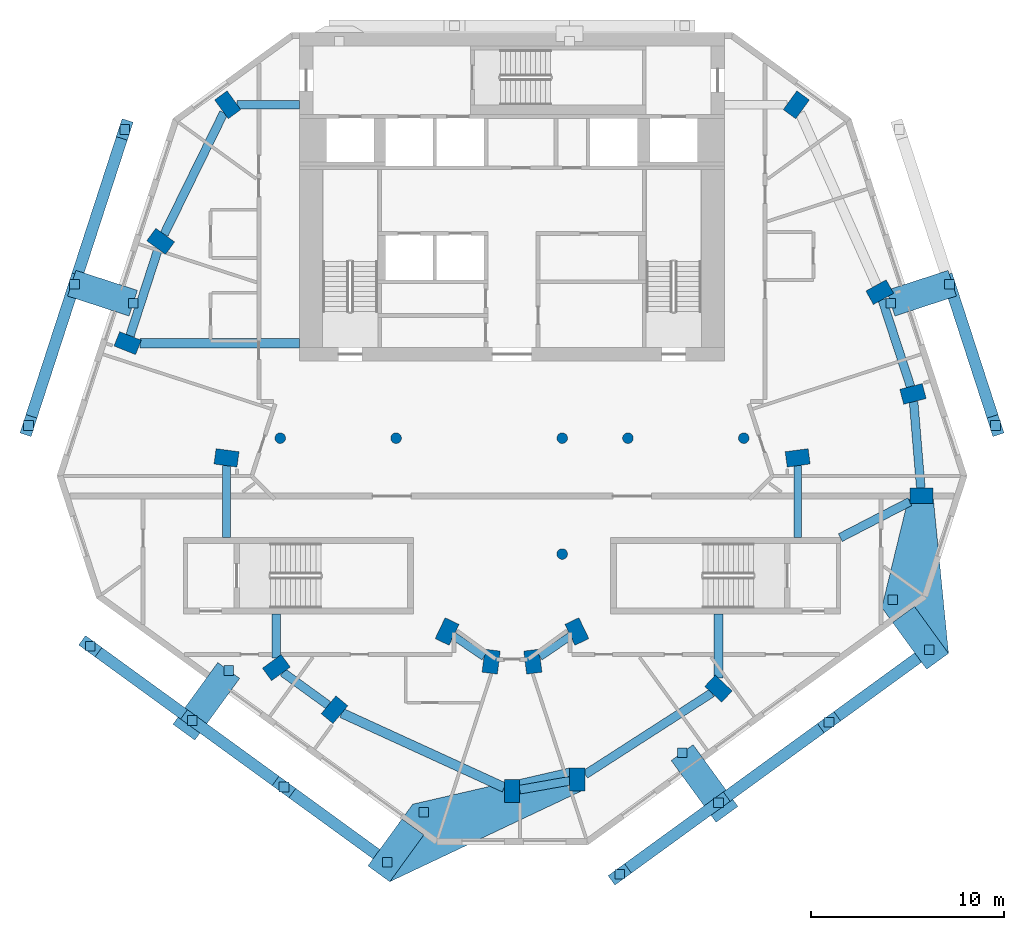
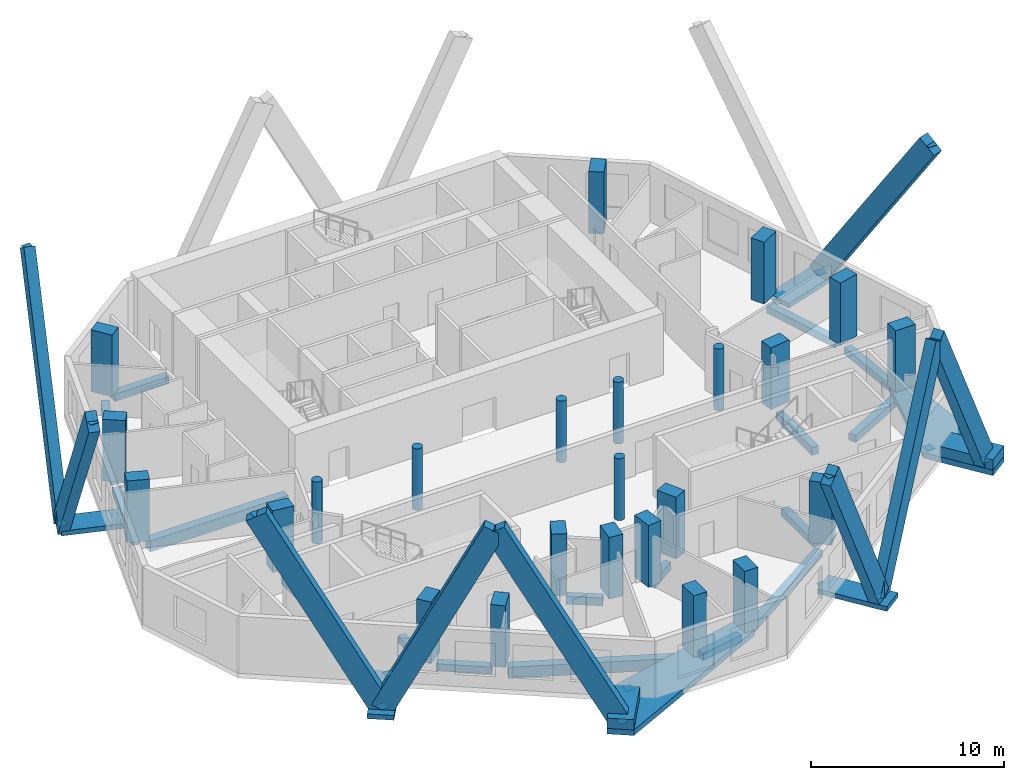
# One storey, part 1 of 9: 24 columns, 19 discrete accessories, 17 beams, 17 members.
"""IFC4 building model written with IfcOpenShell, lengths in metres."""

from ifc_helpers import new_model, si_unit, direction, frame, origin, origin_2d, place, context, subcontext, project, spatial, polyline, rectangle, circle, outline, extrude, material, layer, layer_set, material_profile, profile_set, type_object, element, aggregate, save


model = new_model("IFC4")

# Units and contexts
model_context = context("Model", 3, precision=1e-05, world=origin(), true_north=direction((0.0, 1.0)))
body_context = subcontext(model_context, "Body", "Model", "MODEL_VIEW")
ifc_project = project(units=[si_unit("LENGTHUNIT", "METRE"), si_unit("AREAUNIT", "SQUARE_METRE"), si_unit("VOLUMEUNIT", "CUBIC_METRE"), si_unit("PLANEANGLEUNIT", "RADIAN"), si_unit("MASSUNIT", "GRAM", prefix="KILO")], contexts=[model_context])

# Site, building, storey
site_placement = place(None, origin())
site = spatial("IfcSite", under=ifc_project, at=site_placement, CompositionType="ELEMENT")
building_placement = place(site_placement, origin())
building = spatial("IfcBuilding", under=site, at=building_placement, Name="White Candle Pilgrim Tower", CompositionType="ELEMENT")
storey_placement = place(building_placement, frame((0.0, 0.0, 260.0)))
storey = spatial("IfcBuildingStorey", under=building, at=storey_placement, Name="L61", CompositionType="ELEMENT", Elevation=260.0)

# Columns
ifc_material_1 = material(Name="Concrete C60/75", Category="concrete")
ifc_material_profile_1 = material_profile(ifc_material_1, circle(Radius=0.27490234375, at=origin_2d()), Name="RC-COL D550")
ifc_profile_set_1 = profile_set([ifc_material_profile_1], Name="Concrete C60/75")
column_type_1 = type_object("IfcColumnType", Name="Interior column RC-COL D550 C60/75", PredefinedType="COLUMN", material=ifc_profile_set_1)
for number, where, z_axis, x_axis, name in (
    (1, (58.0, 67.0, 0.0), (0.0, 0.0, 1.0), (1.0, 0.0, 0.0), "L61 column I01"),
    (2, (64.0, 67.0, 0.0), (0.0, 0.0, 1.0), (1.0, 0.0, 0.0), "L61 column I02"),
    (3, (72.60009765625, 61.0, 0.0), (0.0, 0.0, 1.0), (1.0, 0.0, 0.0), "L61 column I03"),
    (4, (72.60009765625, 67.0, 0.0), (0.0, 0.0, 1.0), (1.0, 0.0, 0.0), "L61 column I04"),
    (5, (76.0, 67.0, 0.0), (0.0, 0.0, 1.0), (1.0, 0.0, 0.0), "L61 column I05"),
    (6, (82.0, 67.0, 0.0), (0.0, 0.0, 1.0), (1.0, 0.0, 0.0), "L61 column I06"),
):
    element("IfcColumn", number, at=place(storey_placement, frame(where, z_axis=z_axis, x_axis=x_axis)), inside=storey, type_object=column_type_1, Name=name, PredefinedType="COLUMN", context=body_context, shape_type="SweptSolid", body=[
        extrude(circle(Radius=0.27490234375, at=origin_2d()), origin(), (0.0, 0.0, 1.0), 3.89990234375),
    ])
ifc_material_profile_2 = material_profile(ifc_material_1, rectangle(XDim=0.800048828125, YDim=1.199951171875, at=origin_2d()), Name="RC-PR 800x1200")
ifc_profile_set_2 = profile_set([ifc_material_profile_2], Name="Concrete C60/75")
column_type_2 = type_object("IfcColumnType", Name="Perimeter column RC-PR 800x1200 C60/75", PredefinedType="COLUMN", material=ifc_profile_set_2)
for number, where, z_axis, x_axis, name in (
    (7, (57.800048828125, 55.1201171875, 0.0), (0.0, 0.0, 1.0), (-0.58846280644, 0.808524288711, 0.0), "L61 column T01"),
    (8, (60.81005859375, 52.93994140625, 0.0), (0.0, 0.0, 1.0), (-0.769310358735, 0.638875239733, 0.0), "L61 column T02"),
    (9, (70.0, 48.72998046875, 0.0), (0.0, 0.0, 1.0), (-1.0, 0.0, 0.0), "L61 column T03"),
    (10, (73.389892578125, 49.330078125, 0.0), (0.0, 0.0, 1.0), (-1.0, 0.0, 0.0), "L61 column T04"),
    (11, (80.68994140625, 54.030029296875, 0.0), (0.0, 0.0, 1.0), (-0.681998360062, -0.731353701619, 0.0), "L61 column T05"),
    (12, (91.199951171875, 64.02001953125, 0.0), (0.0, 0.0, 1.0), (0.000855211229, -0.999999634307, 0.0), "L61 column T06"),
    (13, (90.760009765625, 69.2900390625, 0.0), (0.0, 0.0, 1.0), (0.246880623275, -0.969045900797, 0.0), "L61 column T07"),
    (14, (89.0400390625, 74.56005859375, 0.0), (0.0, 0.0, 1.0), (0.484809620246, -0.874619707139, 0.0), "L61 column T08"),
    (15, (84.719970703125, 84.260009765625, 0.0), (0.0, 0.0, 1.0), (0.80902725304, -0.587771132193, 0.0), "L61 column T09"),
    (16, (55.280029296875, 84.260009765625, 0.0), (0.0, 0.0, 1.0), (0.80902725304, 0.587771132193, 0.0), "L61 column T10"),
    (17, (51.81005859375, 77.18994140625, 0.0), (0.0, 0.0, 1.0), (0.587107285614, 0.809509132239, 0.0), "L61 column T11"),
    (18, (50.10009765625, 71.919921875, 0.0), (0.0, 0.0, 1.0), (0.369860269472, 0.929087391512, 0.0), "L61 column T12"),
):
    element("IfcColumn", number, at=place(storey_placement, frame(where, z_axis=z_axis, x_axis=x_axis)), inside=storey, type_object=column_type_2, Name=name, PredefinedType="COLUMN", context=body_context, shape_type="SweptSolid", body=[
        extrude(rectangle(XDim=0.800048828125, YDim=1.199951171875, at=origin_2d()), origin(), (0.0, 0.0, 1.0), 3.89990234375),
    ])
ifc_material_profile_3 = material_profile(ifc_material_1, rectangle(XDim=0.800048828125, YDim=1.199951171875, at=origin_2d()), Name="RC-PR 800x1200")
ifc_profile_set_3 = profile_set([ifc_material_profile_3], Name="Concrete C60/75")
column_type_3 = type_object("IfcColumnType", Name="Ring column RC-PR 800x1200 C60/75", PredefinedType="COLUMN", material=ifc_profile_set_3)
for number, where, z_axis, x_axis, name in (
    (19, (66.639892578125, 56.989990234375, 0.0), (0.0, 0.0, 1.0), (-0.901689191761, 0.43238478403, 0.0), "L61 column R01"),
    (20, (68.919921875, 55.429931640625, 0.0), (0.0, 0.0, 1.0), (-0.992092811428, 0.125506388335, 0.0), "L61 column R02"),
    (21, (71.080078125, 55.429931640625, 0.0), (0.0, 0.0, 1.0), (-0.992092811428, -0.125506388335, 0.0), "L61 column R03"),
    (22, (73.360107421875, 56.989990234375, 0.0), (0.0, 0.0, 1.0), (-0.901689191761, -0.43238478403, 0.0), "L61 column R04"),
    (23, (84.7900390625, 65.97998046875, 0.0), (0.0, 0.0, 1.0), (0.132602381688, -0.991169313675, 0.0), "L61 column R05"),
    (24, (55.219970703125, 65.97998046875, 0.0), (0.0, 0.0, 1.0), (0.132602381688, 0.991169313675, 0.0), "L61 column R06"),
):
    element("IfcColumn", number, at=place(storey_placement, frame(where, z_axis=z_axis, x_axis=x_axis)), inside=storey, type_object=column_type_3, Name=name, PredefinedType="COLUMN", context=body_context, shape_type="SweptSolid", body=[
        extrude(rectangle(XDim=0.800048828125, YDim=1.199951171875, at=origin_2d()), origin(), (0.0, 0.0, 1.0), 3.89990234375),
    ])

# Member
ifc_material_2 = material(Name="Concrete C60/75, white", Category="concrete")
ifc_material_profile_4 = material_profile(ifc_material_2, rectangle(XDim=0.60009765625, YDim=1.199951171875, at=origin_2d()), Name="RC-DG 600x1200")
ifc_profile_set_4 = profile_set([ifc_material_profile_4], Name="Concrete C60/75, white")
member_type_1 = type_object("IfcMemberType", Name="Exoskeleton diagonal RC-DG 600x1200 C60/75", PredefinedType="BRACE", material=ifc_profile_set_4)
member_1_placement = place(storey_placement, frame((92.65283203125, 74.977294921875, 0.0), z_axis=(0.169890937942, -0.522884810435, 0.835301469065), x_axis=(0.951058994358, 0.309009367579, 0.0)))
member_1 = element("IfcMember", 25, at=member_1_placement, inside=storey, type_object=member_type_1, Name="Exoskeleton diagonal EX255", PredefinedType="BRACE", context=body_context, shape_type="SweptSolid", body=[
    extrude(rectangle(XDim=0.60009765625, YDim=1.199951171875, at=origin_2d()), origin(), (0.0, 0.0, 1.0), 14.0068359375),
])

member_2_placement = place(storey_placement, frame((80.69091796875, 48.1298828125, 0.0), z_axis=(-0.384503818142, -0.279340380702, 0.879844171171), x_axis=(0.587760469668, -0.809034999426, 0.0)))
member_2 = element("IfcMember", 26, at=member_2_placement, inside=storey, type_object=member_type_1, Name="Exoskeleton diagonal EX264", PredefinedType="BRACE", context=body_context, shape_type="SweptSolid", body=[
    extrude(rectangle(XDim=0.60009765625, YDim=1.199951171875, at=origin_2d()), origin(), (0.0, 0.0, 1.0), 13.2978515625),
])

member_3_placement = place(storey_placement, frame((80.69091796875, 48.1298828125, 0.0), z_axis=(0.418681214373, 0.304212995458, 0.855663773994), x_axis=(-0.587814703006, 0.80899559636, 0.0)))
member_3 = element("IfcMember", 27, at=member_3_placement, inside=storey, type_object=member_type_1, Name="Exoskeleton diagonal EX265", PredefinedType="BRACE", context=body_context, shape_type="SweptSolid", body=[
    extrude(rectangle(XDim=0.60009765625, YDim=1.199951171875, at=origin_2d()), origin(), (0.0, 0.0, 1.0), 13.673583984375),
])

member_4_placement = place(storey_placement, frame((91.59375, 56.051513671875, 0.0), z_axis=(-0.388266600008, -0.282087794782, 0.877311531529), x_axis=(0.587779248456, -0.809021356383, 0.0)))
member_4 = element("IfcMember", 28, at=member_4_placement, inside=storey, type_object=member_type_1, Name="Exoskeleton diagonal EX266", PredefinedType="BRACE", context=body_context, shape_type="SweptSolid", body=[
    extrude(rectangle(XDim=0.60009765625, YDim=1.199951171875, at=origin_2d()), origin(), (0.0, 0.0, 1.0), 13.336181640625),
])

member_5_placement = place(storey_placement, frame((53.453369140625, 52.384521484375, 0.0), z_axis=(-0.394573963817, 0.286676383591, 0.872999449123), x_axis=(-0.587787424185, -0.809015416398, 0.0)))
member_5 = element("IfcMember", 29, at=member_5_placement, inside=storey, type_object=member_type_1, Name="Exoskeleton diagonal EX276", PredefinedType="BRACE", context=body_context, shape_type="SweptSolid", body=[
    extrude(rectangle(XDim=0.60009765625, YDim=1.199951171875, at=origin_2d()), origin(), (0.0, 0.0, 1.0), 13.402099609375),
])

member_6_placement = place(storey_placement, frame((53.453369140625, 52.384521484375, 0.0), z_axis=(0.362291988878, -0.26322048507, 0.894124986249), x_axis=(0.587785175699, 0.809017050023, 0.0)))
member_6 = element("IfcMember", 30, at=member_6_placement, inside=storey, type_object=member_type_1, Name="Exoskeleton diagonal EX277", PredefinedType="BRACE", context=body_context, shape_type="SweptSolid", body=[
    extrude(rectangle(XDim=0.60009765625, YDim=1.199951171875, at=origin_2d()), origin(), (0.0, 0.0, 1.0), 13.08544921875),
])

member_7_placement = place(storey_placement, frame((63.547119140625, 45.05078125, 0.0), z_axis=(-0.398249250614, 0.289360066201, 0.870441431961), x_axis=(-0.587805260609, -0.809002457104, 0.0)))
member_7 = element("IfcMember", 31, at=member_7_placement, inside=storey, type_object=member_type_1, Name="Exoskeleton diagonal EX278", PredefinedType="BRACE", context=body_context, shape_type="SweptSolid", body=[
    extrude(rectangle(XDim=0.60009765625, YDim=1.199951171875, at=origin_2d()), origin(), (0.0, 0.0, 1.0), 13.44140625),
])

member_8_placement = place(storey_placement, frame((47.34716796875, 74.977294921875, 0.0), z_axis=(0.180479383781, 0.555429326473, 0.811742234533), x_axis=(-0.951051757795, 0.309031639148, 0.0)))
member_8 = element("IfcMember", 32, at=member_8_placement, inside=storey, type_object=member_type_1, Name="Exoskeleton diagonal EX287", PredefinedType="BRACE", context=body_context, shape_type="SweptSolid", body=[
    extrude(rectangle(XDim=0.60009765625, YDim=1.199951171875, at=origin_2d()), origin(), (0.0, 0.0, 1.0), 14.413330078125),
])

member_9_placement = place(storey_placement, frame((47.34716796875, 74.977294921875, 0.0), z_axis=(-0.169890937942, -0.522884810435, 0.835301469065), x_axis=(0.951058994358, -0.309009367579, 0.0)))
member_9 = element("IfcMember", 33, at=member_9_placement, inside=storey, type_object=member_type_1, Name="Exoskeleton diagonal EX288", PredefinedType="BRACE", context=body_context, shape_type="SweptSolid", body=[
    extrude(rectangle(XDim=0.60009765625, YDim=1.199951171875, at=origin_2d()), origin(), (0.0, 0.0, 1.0), 14.0068359375),
])

ifc_material_3 = material(Name="Concrete C70/85, white", Category="concrete")
ifc_layer_1 = layer(ifc_material_3, 0.300048828125)
ifc_layer_set_1 = layer_set([ifc_layer_1], Name="Node tie strut 3350x1400x300 C70/85")
member_type_2 = type_object("IfcMemberType", Name="Node tie strut 3350x1400x300 C70/85", PredefinedType="STRUT", material=ifc_layer_set_1)
member_10_placement = place(storey_placement, frame((91.202392578125, 74.506103515625, -0.2998046875), z_axis=(0.0, 0.0, 1.0), x_axis=(-0.309016994375, 0.951056516295, 0.0)))
member_10 = element("IfcMember", 34, at=member_10_placement, inside=storey, type_object=member_type_2, Name="Node tie strut NC213", PredefinedType="STRUT", context=body_context, shape_type="SweptSolid", body=[
    extrude(rectangle(XDim=1.39990234375, YDim=3.35009765625, at=origin_2d()), origin(), (0.0, 0.0, 1.0), 0.300048828125),
])

member_11_placement = place(storey_placement, frame((48.797607421875, 74.506103515625, -0.2998046875), z_axis=(0.0, 0.0, 1.0), x_axis=(-0.309016994375, -0.951056516295, 0.0)))
member_11 = element("IfcMember", 35, at=member_11_placement, inside=storey, type_object=member_type_2, Name="Node tie strut NC220", PredefinedType="STRUT", context=body_context, shape_type="SweptSolid", body=[
    extrude(rectangle(XDim=1.39990234375, YDim=3.35009765625, at=origin_2d()), origin(), (0.0, 0.0, 1.0), 0.300048828125),
])

ifc_layer_2 = layer(ifc_material_3, 0.300048828125)
ifc_layer_set_2 = layer_set([ifc_layer_2], Name="Node tie strut 3950x1400x300 C70/85")
member_type_3 = type_object("IfcMemberType", Name="Node tie strut 3950x1400x300 C70/85", PredefinedType="STRUT", material=ifc_layer_set_2)
member_12_placement = place(storey_placement, frame((79.970703125, 49.12109375, -0.2998046875), z_axis=(0.0, 0.0, 1.0), x_axis=(0.809016994375, 0.587785252292, 0.0)))
member_12 = element("IfcMember", 36, at=member_12_placement, inside=storey, type_object=member_type_3, Name="Node tie strut NC216", PredefinedType="STRUT", context=body_context, shape_type="SweptSolid", body=[
    extrude(rectangle(XDim=1.39990234375, YDim=3.949951171875, at=origin_2d()), origin(), (0.0, 0.0, 1.0), 0.300048828125),
])

member_13_placement = place(storey_placement, frame((0.0, 0.0, -0.35009765625)))
member_13 = element("IfcMember", 37, at=member_13_placement, inside=storey, type_object=member_type_3, Name="Node tie strut NC217", PredefinedType="STRUT", context=body_context, shape_type="SweptSolid", body=[
    extrude(outline(polyline([(91.46826171875, 55.033203125), (92.600830078125, 55.856201171875), (91.800048828125, 63.99609375), (91.80029296875, 63.62060546875), (90.600341796875, 63.619384765625), (90.599853515625, 64.22021484375), (89.146484375, 58.22900390625), (91.46826171875, 55.033203125)])), origin(), (0.0, 0.0, 1.0), 0.35009765625),
])

member_14_placement = place(storey_placement, origin())
element("IfcMember", 38, at=member_14_placement, inside=storey, type_object=member_type_3, Name="Node tie strut NC217", PredefinedType="STRUT", context=body_context, shape_type="SweptSolid", body=[
    extrude(outline(polyline([(91.46826171875, 55.033203125), (92.600830078125, 55.856201171875), (90.83740234375, 58.283203125), (89.704833984375, 57.460205078125), (91.46826171875, 55.033203125)])), origin(), (0.0, 0.0, 1.0), 0.64990234375),
])

member_15_placement = place(storey_placement, frame((54.17333984375, 53.37548828125, -0.2998046875), z_axis=(0.0, 0.0, 1.0), x_axis=(0.809016994375, -0.587785252292, 0.0)))
member_15 = element("IfcMember", 39, at=member_15_placement, inside=storey, type_object=member_type_3, Name="Node tie strut NC218", PredefinedType="STRUT", context=body_context, shape_type="SweptSolid", body=[
    extrude(rectangle(XDim=1.39990234375, YDim=3.949951171875, at=origin_2d()), origin(), (0.0, 0.0, 1.0), 0.300048828125),
])

member_16_placement = place(storey_placement, frame((0.0, 0.0, -0.35009765625)))
member_16 = element("IfcMember", 40, at=member_16_placement, inside=storey, type_object=member_type_3, Name="Node tie strut NC219", PredefinedType="STRUT", context=body_context, shape_type="SweptSolid", body=[
    extrude(outline(polyline([(63.672607421875, 44.03271484375), (73.593505859375, 48.72998046875), (72.989990234375, 48.72998046875), (72.989990234375, 49.929931640625), (64.86181640625, 48.05126953125), (62.5400390625, 44.855712890625), (63.672607421875, 44.03271484375)])), origin(), (0.0, 0.0, 1.0), 0.35009765625),
])

member_17_placement = place(storey_placement, origin())
element("IfcMember", 41, at=member_17_placement, inside=storey, type_object=member_type_3, Name="Node tie strut NC219", PredefinedType="STRUT", context=body_context, shape_type="SweptSolid", body=[
    extrude(outline(polyline([(63.672607421875, 44.03271484375), (65.43603515625, 46.459716796875), (64.303466796875, 47.28271484375), (62.5400390625, 44.855712890625), (63.672607421875, 44.03271484375)])), origin(), (0.0, 0.0, 1.0), 0.64990234375),
])

# Beams
ifc_material_4 = material(Name="Concrete C50/60", Category="concrete")
ifc_material_profile_5 = material_profile(ifc_material_4, rectangle(XDim=0.39990234375, YDim=0.5, at=origin_2d()), Name="RC-BM 400x500")
ifc_profile_set_5 = profile_set([ifc_material_profile_5], Name="Concrete C50/60")
beam_type_1 = type_object("IfcBeamType", Name="Ring beam RC-BM 400x500 C50/60", PredefinedType="BEAM", material=ifc_profile_set_5)
for number, where, z_axis, x_axis, name in (
    (42, (66.97412109375, 56.761474609375, -0.550048828125), (0.825257044892, -0.564757301729, 0.0), (0.564757301729, 0.825257044892, 0.0), "L61 ring beam R01"),
    (43, (71.451171875, 55.683837890625, -0.550048828125), (0.825257044892, 0.564757301729, 0.0), (-0.564757301729, 0.825257044892, 0.0), "L61 ring beam R02"),
):
    element("IfcBeam", number, at=place(storey_placement, frame(where, z_axis=z_axis, x_axis=x_axis)), inside=storey, type_object=beam_type_1, Name=name, PredefinedType="BEAM", context=body_context, shape_type="SweptSolid", body=[
        extrude(rectangle(XDim=0.39990234375, YDim=0.5, at=origin_2d()), origin(), (0.0, 0.0, 1.0), 1.908203125),
    ])
for number, where, z_axis, x_axis, name in (
    (44, (84.7900390625, 65.576416015625, -0.550048828125), (0.0, -1.0, 0.0), (1.0, 0.0, 0.0), "L61 ring beam R03"),
    (45, (55.219970703125, 65.576416015625, -0.550048828125), (0.0, -1.0, 0.0), (1.0, 0.0, 0.0), "L61 ring beam R04"),
):
    element("IfcBeam", number, at=place(storey_placement, frame(where, z_axis=z_axis, x_axis=x_axis)), inside=storey, type_object=beam_type_1, Name=name, PredefinedType="BEAM", context=body_context, shape_type="SweptSolid", body=[
        extrude(rectangle(XDim=0.39990234375, YDim=0.5, at=origin_2d()), origin(), (0.0, 0.0, 1.0), 3.726318359375),
    ])
ifc_material_profile_6 = material_profile(ifc_material_4, rectangle(XDim=0.449951171875, YDim=0.449951171875, at=origin_2d()), Name="RC-BM 450x450")
ifc_profile_set_6 = profile_set([ifc_material_profile_6], Name="Concrete C50/60")
beam_type_2 = type_object("IfcBeamType", Name="Spandrel beam RC-BM 450x450 C50/60", PredefinedType="BEAM", material=ifc_profile_set_6)
beam_1_placement = place(storey_placement, frame((58.140625, 54.873291015625, -0.52490234375), z_axis=(0.809886863982, -0.586586112647, 0.0), x_axis=(0.586586112647, 0.809886863982, 0.0)))
element("IfcBeam", 46, at=beam_1_placement, inside=storey, type_object=beam_type_2, Name="L61 spandrel beam T01", PredefinedType="BEAM", context=body_context, shape_type="SweptSolid", body=[
    extrude(rectangle(XDim=0.449951171875, YDim=0.449951171875, at=origin_2d()), origin(), (0.0, 0.0, 1.0), 2.89501953125),
])
beam_2_placement = place(storey_placement, frame((70.39990234375, 48.80078125, -0.52490234375), z_axis=(0.984690914207, 0.174309504843, 0.0), x_axis=(-0.174309504843, 0.984690914207, 0.0)))
element("IfcBeam", 47, at=beam_2_placement, inside=storey, type_object=beam_type_2, Name="L61 spandrel beam T03", PredefinedType="BEAM", context=body_context, shape_type="SweptSolid", body=[
    extrude(rectangle(XDim=0.449951171875, YDim=0.449951171875, at=origin_2d()), origin(), (0.0, 0.0, 1.0), 2.63037109375),
])
beam_3_placement = place(storey_placement, frame((73.7900390625, 49.58740234375, -0.52490234375), z_axis=(0.840792523654, 0.541357490175, 0.0), x_axis=(-0.541357490175, 0.840792523654, 0.0)))
element("IfcBeam", 48, at=beam_3_placement, inside=storey, type_object=beam_type_2, Name="L61 spandrel beam T04", PredefinedType="BEAM", context=body_context, shape_type="SweptSolid", body=[
    extrude(rectangle(XDim=0.449951171875, YDim=0.449951171875, at=origin_2d()), origin(), (0.0, 0.0, 1.0), 7.793701171875),
])
beam_4_placement = place(storey_placement, frame((80.68994140625, 54.576904296875, -0.52490234375), z_axis=(0.0, 1.0, 0.0), x_axis=(-1.0, 0.0, 0.0)))
element("IfcBeam", 49, at=beam_4_placement, inside=storey, type_object=beam_type_2, Name="L61 spandrel beam T05", PredefinedType="BEAM", context=body_context, shape_type="SweptSolid", body=[
    extrude(rectangle(XDim=0.449951171875, YDim=0.449951171875, at=origin_2d()), origin(), (0.0, 0.0, 1.0), 3.322998046875),
])
beam_5_placement = place(storey_placement, frame((90.600341796875, 63.710205078125, -0.52490234375), z_axis=(-0.888432867753, -0.459006578925, 0.0), x_axis=(0.459006578925, -0.888432867753, 0.0)))
element("IfcBeam", 50, at=beam_5_placement, inside=storey, type_object=beam_type_2, Name="L61 spandrel beam T06", PredefinedType="BEAM", context=body_context, shape_type="SweptSolid", body=[
    extrude(rectangle(XDim=0.449951171875, YDim=0.449951171875, at=origin_2d()), origin(), (0.0, 0.0, 1.0), 4.052490234375),
])
beam_6_placement = place(storey_placement, frame((91.16650390625, 64.419921875, -0.52490234375), z_axis=(-0.083189754962, 0.996533724803, 0.0), x_axis=(-0.996533724803, -0.083189754962, 0.0)))
element("IfcBeam", 51, at=beam_6_placement, inside=storey, type_object=beam_type_2, Name="L61 spandrel beam T07", PredefinedType="BEAM", context=body_context, shape_type="SweptSolid", body=[
    extrude(rectangle(XDim=0.449951171875, YDim=0.449951171875, at=origin_2d()), origin(), (0.0, 0.0, 1.0), 4.4814453125),
])
beam_7_placement = place(storey_placement, frame((90.635498046875, 69.671142578125, -0.52490234375), z_axis=(-0.310235376741, 0.950659776691, 0.0), x_axis=(-0.950659776691, -0.310235376741, 0.0)))
element("IfcBeam", 52, at=beam_7_placement, inside=storey, type_object=beam_type_2, Name="L61 spandrel beam T08", PredefinedType="BEAM", context=body_context, shape_type="SweptSolid", body=[
    extrude(rectangle(XDim=0.449951171875, YDim=0.449951171875, at=origin_2d()), origin(), (0.0, 0.0, 1.0), 4.735107421875),
])
beam_8_placement = place(storey_placement, frame((55.7744140625, 84.260009765625, -0.52490234375), z_axis=(1.0, 0.0, 0.0), x_axis=(0.0, 1.0, 0.0)))
element("IfcBeam", 53, at=beam_8_placement, inside=storey, type_object=beam_type_2, Name="L61 spandrel beam T11", PredefinedType="BEAM", context=body_context, shape_type="SweptSolid", body=[
    extrude(rectangle(XDim=0.449951171875, YDim=0.449951171875, at=origin_2d()), origin(), (0.0, 0.0, 1.0), 3.2255859375),
])
beam_9_placement = place(storey_placement, frame((55.080810546875, 83.853759765625, -0.52490234375), z_axis=(-0.440604884501, -0.897701139441, 0.0), x_axis=(0.897701139441, -0.440604884501, 0.0)))
element("IfcBeam", 54, at=beam_9_placement, inside=storey, type_object=beam_type_2, Name="L61 spandrel beam T12", PredefinedType="BEAM", context=body_context, shape_type="SweptSolid", body=[
    extrude(rectangle(XDim=0.449951171875, YDim=0.449951171875, at=origin_2d()), origin(), (0.0, 0.0, 1.0), 7.01708984375),
])
beam_10_placement = place(storey_placement, frame((51.68017578125, 76.7900390625, -0.52490234375), z_axis=(-0.308643859688, -0.95117767419, 0.0), x_axis=(0.95117767419, -0.308643859688, 0.0)))
element("IfcBeam", 55, at=beam_10_placement, inside=storey, type_object=beam_type_2, Name="L61 spandrel beam T13", PredefinedType="BEAM", context=body_context, shape_type="SweptSolid", body=[
    extrude(rectangle(XDim=0.449951171875, YDim=0.449951171875, at=origin_2d()), origin(), (0.0, 0.0, 1.0), 4.71923828125),
])
beam_11_placement = place(storey_placement, frame((57.800048828125, 55.61474609375, -0.52490234375), z_axis=(0.0, 1.0, 0.0), x_axis=(-1.0, 0.0, 0.0)))
element("IfcBeam", 56, at=beam_11_placement, inside=storey, type_object=beam_type_2, Name="L61 spandrel beam T15", PredefinedType="BEAM", context=body_context, shape_type="SweptSolid", body=[
    extrude(rectangle(XDim=0.449951171875, YDim=0.449951171875, at=origin_2d()), origin(), (0.0, 0.0, 1.0), 2.28515625),
])
ifc_material_profile_7 = material_profile(ifc_material_4, rectangle(XDim=0.5, YDim=0.699951171875, at=origin_2d()), Name="RC-BM 500x700")
ifc_profile_set_7 = profile_set([ifc_material_profile_7], Name="Concrete C50/60")
beam_type_3 = type_object("IfcBeamType", Name="Spandrel beam RC-BM 500x700 C50/60", PredefinedType="BEAM", material=ifc_profile_set_7)
beam_12_placement = place(storey_placement, frame((61.186767578125, 52.767578125, -0.64990234375), z_axis=(0.90913101106, -0.416510269656, 0.0), x_axis=(0.416510269656, 0.90913101106, 0.0)))
element("IfcBeam", 57, at=beam_12_placement, inside=storey, type_object=beam_type_3, Name="L61 spandrel beam T02", PredefinedType="BEAM", context=body_context, shape_type="SweptSolid", body=[
    extrude(rectangle(XDim=0.5, YDim=0.699951171875, at=origin_2d()), origin(), (0.0, 0.0, 1.0), 9.254150390625),
])
beam_13_placement = place(storey_placement, frame((50.745849609375, 71.919921875, -0.64990234375), z_axis=(1.0, 0.0, 0.0), x_axis=(0.0, 1.0, 0.0)))
element("IfcBeam", 58, at=beam_13_placement, inside=storey, type_object=beam_type_3, Name="L61 spandrel beam T14", PredefinedType="BEAM", context=body_context, shape_type="SweptSolid", body=[
    extrude(rectangle(XDim=0.5, YDim=0.699951171875, at=origin_2d()), origin(), (0.0, 0.0, 1.0), 8.254150390625),
])

# Discrete accessory
ifc_material_5 = material(Name="Steel S355", Category="steel")
ifc_layer_3 = layer(ifc_material_5, 0.02490234375)
ifc_layer_set_3 = layer_set([ifc_layer_3], Name="Gusset plate 500x500x25 S355")
discrete_accessory_type = type_object("IfcDiscreteAccessoryType", Name="Gusset plate 500x500x25 S355", PredefinedType="BRACKET", material=ifc_layer_set_3)
discrete_accessory_1_placement = place(storey_placement, frame((92.65283203125, 74.977294921875, -0.012451171875), z_axis=(0.0, 0.0, 1.0), x_axis=(1.0, 0.0, 0.0)))
discrete_accessory_1 = element("IfcDiscreteAccessory", 59, at=discrete_accessory_1_placement, type_object=discrete_accessory_type, Name="Gusset plate 0294", PredefinedType="BRACKET", context=body_context, shape_type="SweptSolid", body=[
    extrude(rectangle(XDim=0.5, YDim=0.5, at=origin_2d()), origin(), (0.0, 0.0, 1.0), 0.02490234375),
])

placement = place(building_placement, frame((0.0, 0.0, 271.699951171875)))
discrete_accessory_2_placement = place(placement, frame((95.032470703125, 67.6533203125, -0.012451171875), z_axis=(0.0, 0.0, 1.0), x_axis=(1.0, 0.0, 0.0)))
discrete_accessory_2 = element("IfcDiscreteAccessory", 60, at=discrete_accessory_2_placement, type_object=discrete_accessory_type, Name="Gusset plate 0295", PredefinedType="BRACKET", context=body_context, shape_type="SweptSolid", body=[
    extrude(rectangle(XDim=0.5, YDim=0.5, at=origin_2d()), origin(), (0.0, 0.0, 1.0), 0.02490234375),
])

aggregate(member_1, [discrete_accessory_1, discrete_accessory_2])

discrete_accessory_3_placement = place(storey_placement, frame((80.69091796875, 48.1298828125, -0.012451171875), z_axis=(0.0, 0.0, 1.0), x_axis=(1.0, 0.0, 0.0)))
discrete_accessory_3 = element("IfcDiscreteAccessory", 61, at=discrete_accessory_3_placement, type_object=discrete_accessory_type, Name="Gusset plate 0307", PredefinedType="BRACKET", context=body_context, shape_type="SweptSolid", body=[
    extrude(rectangle(XDim=0.5, YDim=0.5, at=origin_2d()), origin(), (0.0, 0.0, 1.0), 0.02490234375),
])

discrete_accessory_4_placement = place(placement, frame((75.577880859375, 44.415283203125, -0.012451171875), z_axis=(0.0, 0.0, 1.0), x_axis=(1.0, 0.0, 0.0)))
discrete_accessory_4 = element("IfcDiscreteAccessory", 62, at=discrete_accessory_4_placement, type_object=discrete_accessory_type, Name="Gusset plate 0308", PredefinedType="BRACKET", context=body_context, shape_type="SweptSolid", body=[
    extrude(rectangle(XDim=0.5, YDim=0.5, at=origin_2d()), origin(), (0.0, 0.0, 1.0), 0.02490234375),
])

aggregate(member_2, [discrete_accessory_3, discrete_accessory_4])

discrete_accessory_5_placement = place(placement, frame((86.415771484375, 52.28955078125, -0.012451171875), z_axis=(0.0, 0.0, 1.0), x_axis=(1.0, 0.0, 0.0)))
discrete_accessory_5 = element("IfcDiscreteAccessory", 63, at=discrete_accessory_5_placement, type_object=discrete_accessory_type, Name="Gusset plate 0309", PredefinedType="BRACKET", context=body_context, shape_type="SweptSolid", body=[
    extrude(rectangle(XDim=0.5, YDim=0.5, at=origin_2d()), origin(), (0.0, 0.0, 1.0), 0.02490234375),
])

aggregate(member_3, [discrete_accessory_5])

discrete_accessory_6_placement = place(storey_placement, frame((91.59375, 56.051513671875, -0.012451171875), z_axis=(0.0, 0.0, 1.0), x_axis=(1.0, 0.0, 0.0)))
discrete_accessory_6 = element("IfcDiscreteAccessory", 64, at=discrete_accessory_6_placement, type_object=discrete_accessory_type, Name="Gusset plate 0310", PredefinedType="BRACKET", context=body_context, shape_type="SweptSolid", body=[
    extrude(rectangle(XDim=0.5, YDim=0.5, at=origin_2d()), origin(), (0.0, 0.0, 1.0), 0.02490234375),
])

aggregate(member_4, [discrete_accessory_6])

discrete_accessory_7_placement = place(storey_placement, frame((53.453369140625, 52.384521484375, -0.012451171875), z_axis=(0.0, 0.0, 1.0), x_axis=(1.0, 0.0, 0.0)))
discrete_accessory_7 = element("IfcDiscreteAccessory", 65, at=discrete_accessory_7_placement, type_object=discrete_accessory_type, Name="Gusset plate 0324", PredefinedType="BRACKET", context=body_context, shape_type="SweptSolid", body=[
    extrude(rectangle(XDim=0.5, YDim=0.5, at=origin_2d()), origin(), (0.0, 0.0, 1.0), 0.02490234375),
])

discrete_accessory_8_placement = place(placement, frame((48.165283203125, 56.2265625, -0.012451171875), z_axis=(0.0, 0.0, 1.0), x_axis=(1.0, 0.0, 0.0)))
discrete_accessory_8 = element("IfcDiscreteAccessory", 66, at=discrete_accessory_8_placement, type_object=discrete_accessory_type, Name="Gusset plate 0325", PredefinedType="BRACKET", context=body_context, shape_type="SweptSolid", body=[
    extrude(rectangle(XDim=0.5, YDim=0.5, at=origin_2d()), origin(), (0.0, 0.0, 1.0), 0.02490234375),
])

aggregate(member_5, [discrete_accessory_7, discrete_accessory_8])

discrete_accessory_9_placement = place(placement, frame((58.194091796875, 48.940185546875, -0.012451171875), z_axis=(0.0, 0.0, 1.0), x_axis=(1.0, 0.0, 0.0)))
discrete_accessory_9 = element("IfcDiscreteAccessory", 67, at=discrete_accessory_9_placement, type_object=discrete_accessory_type, Name="Gusset plate 0326", PredefinedType="BRACKET", context=body_context, shape_type="SweptSolid", body=[
    extrude(rectangle(XDim=0.5, YDim=0.5, at=origin_2d()), origin(), (0.0, 0.0, 1.0), 0.02490234375),
])

aggregate(member_6, [discrete_accessory_9])

discrete_accessory_10_placement = place(storey_placement, frame((63.547119140625, 45.05078125, -0.012451171875), z_axis=(0.0, 0.0, 1.0), x_axis=(1.0, 0.0, 0.0)))
discrete_accessory_10 = element("IfcDiscreteAccessory", 68, at=discrete_accessory_10_placement, type_object=discrete_accessory_type, Name="Gusset plate 0327", PredefinedType="BRACKET", context=body_context, shape_type="SweptSolid", body=[
    extrude(rectangle(XDim=0.5, YDim=0.5, at=origin_2d()), origin(), (0.0, 0.0, 1.0), 0.02490234375),
])

aggregate(member_7, [discrete_accessory_10])

discrete_accessory_11_placement = place(storey_placement, frame((47.34716796875, 74.977294921875, -0.012451171875), z_axis=(0.0, 0.0, 1.0), x_axis=(1.0, 0.0, 0.0)))
discrete_accessory_11 = element("IfcDiscreteAccessory", 69, at=discrete_accessory_11_placement, type_object=discrete_accessory_type, Name="Gusset plate 0339", PredefinedType="BRACKET", context=body_context, shape_type="SweptSolid", body=[
    extrude(rectangle(XDim=0.5, YDim=0.5, at=origin_2d()), origin(), (0.0, 0.0, 1.0), 0.02490234375),
])

discrete_accessory_12_placement = place(placement, frame((49.948486328125, 82.98291015625, -0.012451171875), z_axis=(0.0, 0.0, 1.0), x_axis=(1.0, 0.0, 0.0)))
discrete_accessory_12 = element("IfcDiscreteAccessory", 70, at=discrete_accessory_12_placement, type_object=discrete_accessory_type, Name="Gusset plate 0340", PredefinedType="BRACKET", context=body_context, shape_type="SweptSolid", body=[
    extrude(rectangle(XDim=0.5, YDim=0.5, at=origin_2d()), origin(), (0.0, 0.0, 1.0), 0.02490234375),
])

aggregate(member_8, [discrete_accessory_11, discrete_accessory_12])

discrete_accessory_13_placement = place(placement, frame((44.967529296875, 67.6533203125, -0.012451171875), z_axis=(0.0, 0.0, 1.0), x_axis=(1.0, 0.0, 0.0)))
discrete_accessory_13 = element("IfcDiscreteAccessory", 71, at=discrete_accessory_13_placement, type_object=discrete_accessory_type, Name="Gusset plate 0341", PredefinedType="BRACKET", context=body_context, shape_type="SweptSolid", body=[
    extrude(rectangle(XDim=0.5, YDim=0.5, at=origin_2d()), origin(), (0.0, 0.0, 1.0), 0.02490234375),
])

aggregate(member_9, [discrete_accessory_13])

discrete_accessory_14_placement = place(storey_placement, frame((89.609375, 73.988525390625, -0.162353515625), z_axis=(0.0, 0.0, 1.0), x_axis=(1.0, 0.0, 0.0)))
discrete_accessory_14 = element("IfcDiscreteAccessory", 72, at=discrete_accessory_14_placement, type_object=discrete_accessory_type, Name="Gusset plate 0594", PredefinedType="BRACKET", context=body_context, shape_type="SweptSolid", body=[
    extrude(rectangle(XDim=0.5, YDim=0.5, at=origin_2d()), origin(), (0.0, 0.0, 1.0), 0.02490234375),
])

aggregate(member_10, [discrete_accessory_14])

discrete_accessory_15_placement = place(storey_placement, frame((78.809814453125, 50.71875, -0.162353515625), z_axis=(0.0, 0.0, 1.0), x_axis=(1.0, 0.0, 0.0)))
discrete_accessory_15 = element("IfcDiscreteAccessory", 73, at=discrete_accessory_15_placement, type_object=discrete_accessory_type, Name="Gusset plate 0597", PredefinedType="BRACKET", context=body_context, shape_type="SweptSolid", body=[
    extrude(rectangle(XDim=0.5, YDim=0.5, at=origin_2d()), origin(), (0.0, 0.0, 1.0), 0.02490234375),
])

aggregate(member_12, [discrete_accessory_15])

discrete_accessory_16_placement = place(storey_placement, frame((89.712890625, 58.640380859375, -0.162353515625), z_axis=(0.0, 0.0, 1.0), x_axis=(1.0, 0.0, 0.0)))
discrete_accessory_16 = element("IfcDiscreteAccessory", 74, at=discrete_accessory_16_placement, type_object=discrete_accessory_type, Name="Gusset plate 0598", PredefinedType="BRACKET", context=body_context, shape_type="SweptSolid", body=[
    extrude(rectangle(XDim=0.5, YDim=0.5, at=origin_2d()), origin(), (0.0, 0.0, 1.0), 0.02490234375),
])

aggregate(member_13, [discrete_accessory_16])

discrete_accessory_17_placement = place(storey_placement, frame((55.334228515625, 54.973388671875, -0.162353515625), z_axis=(0.0, 0.0, 1.0), x_axis=(1.0, 0.0, 0.0)))
discrete_accessory_17 = element("IfcDiscreteAccessory", 75, at=discrete_accessory_17_placement, type_object=discrete_accessory_type, Name="Gusset plate 0599", PredefinedType="BRACKET", context=body_context, shape_type="SweptSolid", body=[
    extrude(rectangle(XDim=0.5, YDim=0.5, at=origin_2d()), origin(), (0.0, 0.0, 1.0), 0.02490234375),
])

aggregate(member_15, [discrete_accessory_17])

discrete_accessory_18_placement = place(storey_placement, frame((65.427978515625, 47.639892578125, -0.162353515625), z_axis=(0.0, 0.0, 1.0), x_axis=(1.0, 0.0, 0.0)))
discrete_accessory_18 = element("IfcDiscreteAccessory", 76, at=discrete_accessory_18_placement, type_object=discrete_accessory_type, Name="Gusset plate 0600", PredefinedType="BRACKET", context=body_context, shape_type="SweptSolid", body=[
    extrude(rectangle(XDim=0.5, YDim=0.5, at=origin_2d()), origin(), (0.0, 0.0, 1.0), 0.02490234375),
])

aggregate(member_16, [discrete_accessory_18])

discrete_accessory_19_placement = place(storey_placement, frame((50.390625, 73.988525390625, -0.162353515625), z_axis=(0.0, 0.0, 1.0), x_axis=(1.0, 0.0, 0.0)))
discrete_accessory_19 = element("IfcDiscreteAccessory", 77, at=discrete_accessory_19_placement, type_object=discrete_accessory_type, Name="Gusset plate 0601", PredefinedType="BRACKET", context=body_context, shape_type="SweptSolid", body=[
    extrude(rectangle(XDim=0.5, YDim=0.5, at=origin_2d()), origin(), (0.0, 0.0, 1.0), 0.02490234375),
])

aggregate(member_11, [discrete_accessory_19])

save(model, "model.ifc")
